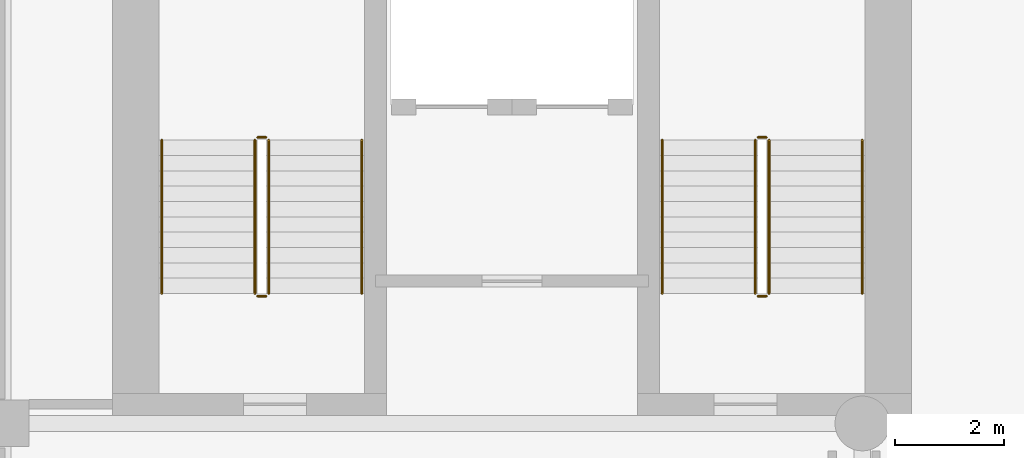
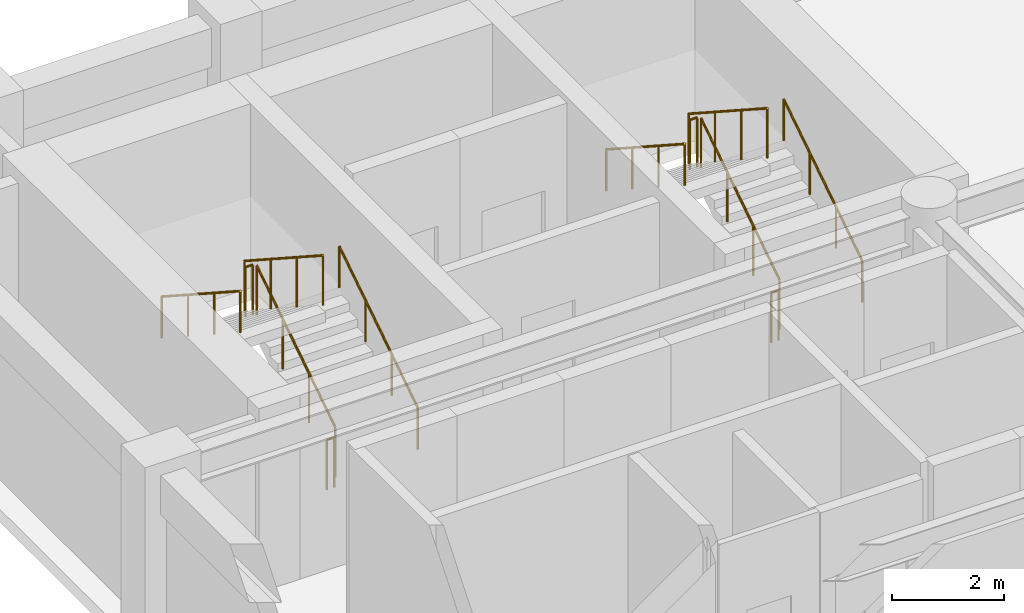
# One storey, part 7 of 8: 12 railings.
"""IFC4 building model written with IfcOpenShell, lengths in metres."""

from ifc_helpers import new_model, si_unit, direction, frame, origin, origin_2d, place, context, subcontext, project, spatial, circle, extrude, material, type_object, element, save


model = new_model("IFC4")

# Units and contexts
model_context = context("Model", 3, precision=1e-05, world=origin(), true_north=direction((0.0, 1.0)))
body_context = subcontext(model_context, "Body", "Model", "MODEL_VIEW")
ifc_project = project(units=[si_unit("LENGTHUNIT", "METRE"), si_unit("AREAUNIT", "SQUARE_METRE"), si_unit("VOLUMEUNIT", "CUBIC_METRE"), si_unit("PLANEANGLEUNIT", "RADIAN"), si_unit("MASSUNIT", "GRAM", prefix="KILO")], contexts=[model_context])

# Site, building, storey
site_placement = place(None, origin())
site = spatial("IfcSite", under=ifc_project, at=site_placement, CompositionType="ELEMENT")
building_placement = place(site_placement, origin())
building = spatial("IfcBuilding", under=site, at=building_placement, Name="Sulina Concourse Tower", CompositionType="ELEMENT")
storey_placement = place(building_placement, frame((0.0, 0.0, 144.60009765625)))
storey = spatial("IfcBuildingStorey", under=building, at=storey_placement, Name="L35", CompositionType="ELEMENT", Elevation=144.60009765625)

# Railings
ifc_material_1 = material(Name="Galvanised steel railing", Category="steel")
railing_type_1 = type_object("IfcRailingType", Name="Core Stair Steel Guardrail 1150mm", PredefinedType="GUARDRAIL", material=ifc_material_1)
railing_1_placement = place(storey_placement, frame((5.554931640625, 36.375, 0.181640625)))
element("IfcRailing", 1, at=railing_1_placement, inside=storey, type_object=railing_type_1, Name="L35 ST-1 stair guard 1", PredefinedType="GUARDRAIL", context=body_context, shape_type="SweptSolid", body=[
    extrude(circle(Radius=0.02392578125, at=origin_2d()), frame((0.0, 0.0, 1.076171875), z_axis=(0.0, 0.838672427954, 0.544636170843), x_axis=(-1.0, 0.0, 0.0)), (0.0, 0.0, 1.0), 3.338623046875),
    extrude(circle(Radius=0.02099609375, at=origin_2d()), origin(), (0.0, 0.0, 1.0), 1.052001953125),
    extrude(circle(Radius=0.02099609375, at=origin_2d()), frame((0.0, 0.933349609375, 0.606201171875)), (0.0, 0.0, 1.0), 1.052001953125),
    extrude(circle(Radius=0.02099609375, at=origin_2d()), frame((0.0, 1.86669921875, 1.212158203125)), (0.0, 0.0, 1.0), 1.052001953125),
    extrude(circle(Radius=0.02099609375, at=origin_2d()), frame((0.0, 2.800048828125, 1.818359375)), (0.0, 0.0, 1.0), 1.052001953125),
])
railing_2_placement = place(storey_placement, frame((5.5048828125, 39.22509765625, 2.0)))
element("IfcRailing", 2, at=railing_2_placement, inside=storey, type_object=railing_type_1, Name="L35 ST-1 stair guard 2", PredefinedType="GUARDRAIL", context=body_context, shape_type="SweptSolid", body=[
    extrude(circle(Radius=0.02392578125, at=origin_2d()), frame((0.0, 0.0, 1.076171875), z_axis=(-1.0, 0.0, 0.0), x_axis=(0.0, -1.0, 0.0)), (0.0, 0.0, 1.0), 0.14990234375),
    extrude(circle(Radius=0.02099609375, at=origin_2d()), origin(), (0.0, 0.0, 1.0), 1.052001953125),
    extrude(circle(Radius=0.02099609375, at=origin_2d()), frame((-0.14990234375, 0.0, 0.0)), (0.0, 0.0, 1.0), 1.052001953125),
])
railing_3_placement = place(storey_placement, frame((5.304931640625, 39.175048828125, 2.181640625)))
element("IfcRailing", 3, at=railing_3_placement, inside=storey, type_object=railing_type_1, Name="L35 ST-1 stair guard 3", PredefinedType="GUARDRAIL", context=body_context, shape_type="SweptSolid", body=[
    extrude(circle(Radius=0.02392578125, at=origin_2d()), frame((0.0, 0.0, 1.076171875), z_axis=(0.0, -0.838672427954, 0.544636170843), x_axis=(1.0, 0.0, 0.0)), (0.0, 0.0, 1.0), 3.338623046875),
    extrude(circle(Radius=0.02099609375, at=origin_2d()), origin(), (0.0, 0.0, 1.0), 1.052001953125),
    extrude(circle(Radius=0.02099609375, at=origin_2d()), frame((0.0, -0.933349609375, 0.606201171875)), (0.0, 0.0, 1.0), 1.052001953125),
    extrude(circle(Radius=0.02099609375, at=origin_2d()), frame((0.0, -1.86669921875, 1.212158203125)), (0.0, 0.0, 1.0), 1.052001953125),
    extrude(circle(Radius=0.02099609375, at=origin_2d()), frame((0.0, -2.800048828125, 1.818359375)), (0.0, 0.0, 1.0), 1.052001953125),
])
railing_4_placement = place(storey_placement, frame((5.5048828125, 36.324951171875, 0.0)))
element("IfcRailing", 4, at=railing_4_placement, inside=storey, type_object=railing_type_1, Name="L35 ST-1 stair guard 4", PredefinedType="GUARDRAIL", context=body_context, shape_type="SweptSolid", body=[
    extrude(circle(Radius=0.02392578125, at=origin_2d()), frame((0.0, 0.0, 1.076171875), z_axis=(-1.0, 0.0, 0.0), x_axis=(0.0, -1.0, 0.0)), (0.0, 0.0, 1.0), 0.14990234375),
    extrude(circle(Radius=0.02099609375, at=origin_2d()), origin(), (0.0, 0.0, 1.0), 1.052001953125),
    extrude(circle(Radius=0.02099609375, at=origin_2d()), frame((-0.14990234375, 0.0, 0.0)), (0.0, 0.0, 1.0), 1.052001953125),
])
railing_5_placement = place(storey_placement, frame((14.695068359375, 36.375, 0.181640625)))
element("IfcRailing", 5, at=railing_5_placement, inside=storey, type_object=railing_type_1, Name="L35 ST-2 stair guard 1", PredefinedType="GUARDRAIL", context=body_context, shape_type="SweptSolid", body=[
    extrude(circle(Radius=0.02392578125, at=origin_2d()), frame((0.0, 0.0, 1.076171875), z_axis=(0.0, 0.838672427954, 0.544636170843), x_axis=(-1.0, 0.0, 0.0)), (0.0, 0.0, 1.0), 3.338623046875),
    extrude(circle(Radius=0.02099609375, at=origin_2d()), origin(), (0.0, 0.0, 1.0), 1.052001953125),
    extrude(circle(Radius=0.02099609375, at=origin_2d()), frame((0.0, 0.933349609375, 0.606201171875)), (0.0, 0.0, 1.0), 1.052001953125),
    extrude(circle(Radius=0.02099609375, at=origin_2d()), frame((0.0, 1.86669921875, 1.212158203125)), (0.0, 0.0, 1.0), 1.052001953125),
    extrude(circle(Radius=0.02099609375, at=origin_2d()), frame((0.0, 2.800048828125, 1.818359375)), (0.0, 0.0, 1.0), 1.052001953125),
])
railing_6_placement = place(storey_placement, frame((14.64501953125, 39.22509765625, 2.0)))
element("IfcRailing", 6, at=railing_6_placement, inside=storey, type_object=railing_type_1, Name="L35 ST-2 stair guard 2", PredefinedType="GUARDRAIL", context=body_context, shape_type="SweptSolid", body=[
    extrude(circle(Radius=0.02392578125, at=origin_2d()), frame((0.0, 0.0, 1.076171875), z_axis=(-1.0, 0.0, 0.0), x_axis=(0.0, -1.0, 0.0)), (0.0, 0.0, 1.0), 0.14990234375),
    extrude(circle(Radius=0.02099609375, at=origin_2d()), origin(), (0.0, 0.0, 1.0), 1.052001953125),
    extrude(circle(Radius=0.02099609375, at=origin_2d()), frame((-0.14990234375, 0.0, 0.0)), (0.0, 0.0, 1.0), 1.052001953125),
])
railing_7_placement = place(storey_placement, frame((14.445068359375, 39.175048828125, 2.181640625)))
element("IfcRailing", 7, at=railing_7_placement, inside=storey, type_object=railing_type_1, Name="L35 ST-2 stair guard 3", PredefinedType="GUARDRAIL", context=body_context, shape_type="SweptSolid", body=[
    extrude(circle(Radius=0.02392578125, at=origin_2d()), frame((0.0, 0.0, 1.076171875), z_axis=(0.0, -0.838672427954, 0.544636170843), x_axis=(1.0, 0.0, 0.0)), (0.0, 0.0, 1.0), 3.338623046875),
    extrude(circle(Radius=0.02099609375, at=origin_2d()), origin(), (0.0, 0.0, 1.0), 1.052001953125),
    extrude(circle(Radius=0.02099609375, at=origin_2d()), frame((0.0, -0.933349609375, 0.606201171875)), (0.0, 0.0, 1.0), 1.052001953125),
    extrude(circle(Radius=0.02099609375, at=origin_2d()), frame((0.0, -1.86669921875, 1.212158203125)), (0.0, 0.0, 1.0), 1.052001953125),
    extrude(circle(Radius=0.02099609375, at=origin_2d()), frame((0.0, -2.800048828125, 1.818359375)), (0.0, 0.0, 1.0), 1.052001953125),
])
railing_8_placement = place(storey_placement, frame((14.64501953125, 36.324951171875, 0.0)))
element("IfcRailing", 8, at=railing_8_placement, inside=storey, type_object=railing_type_1, Name="L35 ST-2 stair guard 4", PredefinedType="GUARDRAIL", context=body_context, shape_type="SweptSolid", body=[
    extrude(circle(Radius=0.02392578125, at=origin_2d()), frame((0.0, 0.0, 1.076171875), z_axis=(-1.0, 0.0, 0.0), x_axis=(0.0, -1.0, 0.0)), (0.0, 0.0, 1.0), 0.14990234375),
    extrude(circle(Radius=0.02099609375, at=origin_2d()), origin(), (0.0, 0.0, 1.0), 1.052001953125),
    extrude(circle(Radius=0.02099609375, at=origin_2d()), frame((-0.14990234375, 0.0, 0.0)), (0.0, 0.0, 1.0), 1.052001953125),
])
ifc_material_2 = material(Name="Galvanised steel railing", Category="steel")
railing_type_2 = type_object("IfcRailingType", Name="Stair Wall Steel Handrail 920mm", PredefinedType="HANDRAIL", material=ifc_material_2)
railing_9_placement = place(storey_placement, frame((7.2548828125, 36.375, 0.181640625)))
element("IfcRailing", 9, at=railing_9_placement, inside=storey, type_object=railing_type_2, Name="L35 ST-1 stair handrail 1", PredefinedType="HANDRAIL", context=body_context, shape_type="SweptSolid", body=[
    extrude(circle(Radius=0.02392578125, at=origin_2d()), frame((0.0, 0.0, 0.89599609375), z_axis=(0.0, 0.838672427954, 0.544636170843), x_axis=(-1.0, 0.0, 0.0)), (0.0, 0.0, 1.0), 3.338623046875),
    extrude(circle(Radius=0.02099609375, at=origin_2d()), origin(), (0.0, 0.0, 1.0), 0.871826171875),
    extrude(circle(Radius=0.02099609375, at=origin_2d()), frame((0.0, 0.933349609375, 0.606201171875)), (0.0, 0.0, 1.0), 0.871826171875),
    extrude(circle(Radius=0.02099609375, at=origin_2d()), frame((0.0, 1.86669921875, 1.212158203125)), (0.0, 0.0, 1.0), 0.871826171875),
    extrude(circle(Radius=0.02099609375, at=origin_2d()), frame((0.0, 2.800048828125, 1.818359375)), (0.0, 0.0, 1.0), 0.871826171875),
])
railing_10_placement = place(storey_placement, frame((3.60498046875, 39.175048828125, 2.181640625)))
element("IfcRailing", 10, at=railing_10_placement, inside=storey, type_object=railing_type_2, Name="L35 ST-1 stair handrail 2", PredefinedType="HANDRAIL", context=body_context, shape_type="SweptSolid", body=[
    extrude(circle(Radius=0.02392578125, at=origin_2d()), frame((0.0, 0.0, 0.89599609375), z_axis=(0.0, -0.838672427954, 0.544636170843), x_axis=(1.0, 0.0, 0.0)), (0.0, 0.0, 1.0), 3.338623046875),
    extrude(circle(Radius=0.02099609375, at=origin_2d()), origin(), (0.0, 0.0, 1.0), 0.871826171875),
    extrude(circle(Radius=0.02099609375, at=origin_2d()), frame((0.0, -0.933349609375, 0.606201171875)), (0.0, 0.0, 1.0), 0.871826171875),
    extrude(circle(Radius=0.02099609375, at=origin_2d()), frame((0.0, -1.86669921875, 1.212158203125)), (0.0, 0.0, 1.0), 0.871826171875),
    extrude(circle(Radius=0.02099609375, at=origin_2d()), frame((0.0, -2.800048828125, 1.818359375)), (0.0, 0.0, 1.0), 0.871826171875),
])
railing_11_placement = place(storey_placement, frame((16.39501953125, 36.375, 0.181640625)))
element("IfcRailing", 11, at=railing_11_placement, inside=storey, type_object=railing_type_2, Name="L35 ST-2 stair handrail 1", PredefinedType="HANDRAIL", context=body_context, shape_type="SweptSolid", body=[
    extrude(circle(Radius=0.02392578125, at=origin_2d()), frame((0.0, 0.0, 0.89599609375), z_axis=(0.0, 0.838672427954, 0.544636170843), x_axis=(-1.0, 0.0, 0.0)), (0.0, 0.0, 1.0), 3.338623046875),
    extrude(circle(Radius=0.02099609375, at=origin_2d()), origin(), (0.0, 0.0, 1.0), 0.871826171875),
    extrude(circle(Radius=0.02099609375, at=origin_2d()), frame((0.0, 0.933349609375, 0.606201171875)), (0.0, 0.0, 1.0), 0.871826171875),
    extrude(circle(Radius=0.02099609375, at=origin_2d()), frame((0.0, 1.86669921875, 1.212158203125)), (0.0, 0.0, 1.0), 0.871826171875),
    extrude(circle(Radius=0.02099609375, at=origin_2d()), frame((0.0, 2.800048828125, 1.818359375)), (0.0, 0.0, 1.0), 0.871826171875),
])
railing_12_placement = place(storey_placement, frame((12.7451171875, 39.175048828125, 2.181640625)))
element("IfcRailing", 12, at=railing_12_placement, inside=storey, type_object=railing_type_2, Name="L35 ST-2 stair handrail 2", PredefinedType="HANDRAIL", context=body_context, shape_type="SweptSolid", body=[
    extrude(circle(Radius=0.02392578125, at=origin_2d()), frame((0.0, 0.0, 0.89599609375), z_axis=(0.0, -0.838672427954, 0.544636170843), x_axis=(1.0, 0.0, 0.0)), (0.0, 0.0, 1.0), 3.338623046875),
    extrude(circle(Radius=0.02099609375, at=origin_2d()), origin(), (0.0, 0.0, 1.0), 0.871826171875),
    extrude(circle(Radius=0.02099609375, at=origin_2d()), frame((0.0, -0.933349609375, 0.606201171875)), (0.0, 0.0, 1.0), 0.871826171875),
    extrude(circle(Radius=0.02099609375, at=origin_2d()), frame((0.0, -1.86669921875, 1.212158203125)), (0.0, 0.0, 1.0), 0.871826171875),
    extrude(circle(Radius=0.02099609375, at=origin_2d()), frame((0.0, -2.800048828125, 1.818359375)), (0.0, 0.0, 1.0), 0.871826171875),
])

save(model, "model.ifc")
